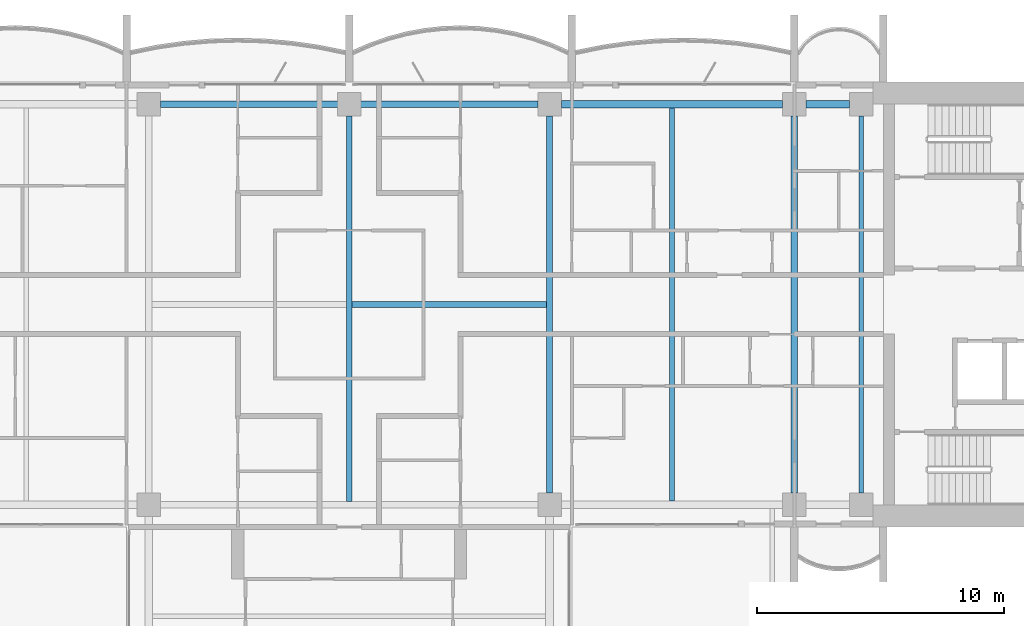
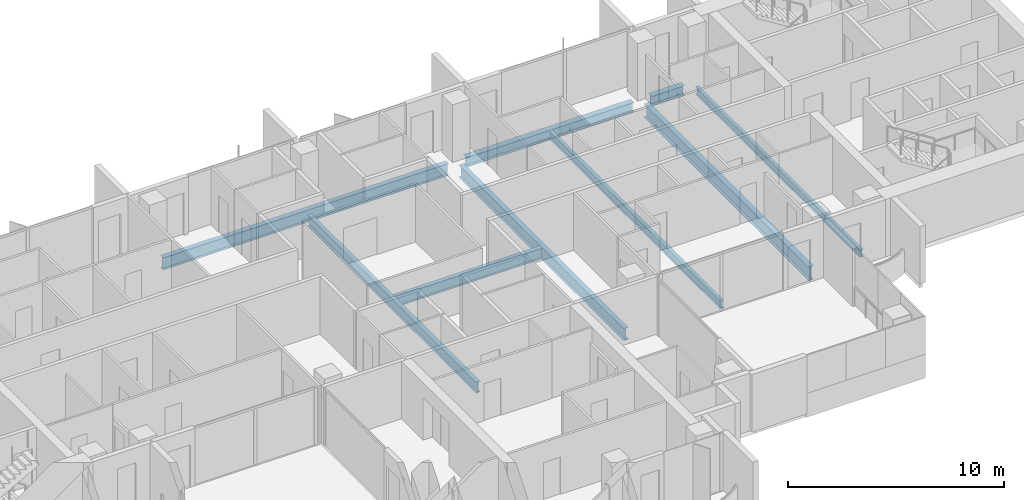
# One storey, part 4 of 18: 9 beams.
"""IFC4 building model written with IfcOpenShell, lengths in metres."""

from ifc_helpers import new_model, si_unit, direction, frame, origin, origin_2d, place, context, subcontext, project, spatial, i_section, extrude, material, material_profile, profile_set, type_object, element, save


model = new_model("IFC4")

# Units and contexts
model_context = context("Model", 3, precision=1e-05, world=origin(), true_north=direction((0.0, 1.0)))
body_context = subcontext(model_context, "Body", "Model", "MODEL_VIEW")
ifc_project = project(units=[si_unit("LENGTHUNIT", "METRE"), si_unit("AREAUNIT", "SQUARE_METRE"), si_unit("VOLUMEUNIT", "CUBIC_METRE"), si_unit("PLANEANGLEUNIT", "RADIAN"), si_unit("MASSUNIT", "GRAM", prefix="KILO")], contexts=[model_context])

# Site, building, storey
site_placement = place(None, origin())
site = spatial("IfcSite", under=ifc_project, at=site_placement, CompositionType="ELEMENT")
building_placement = place(site_placement, origin())
building = spatial("IfcBuilding", under=site, at=building_placement, Name="Perihelion Cross Residences", CompositionType="ELEMENT")
storey_placement = place(building_placement, frame((0.0, 0.0, 173.60009765625)))
storey = spatial("IfcBuildingStorey", under=building, at=storey_placement, Name="L42", CompositionType="ELEMENT", Elevation=173.60009765625)

# Beams
ifc_material_1 = material(Name="Steel S355", Category="steel")
ifc_material_profile_1 = material_profile(ifc_material_1, i_section(OverallWidth=0.180908203125, OverallDepth=0.4169921875, WebThickness=0.010986328125, FlangeThickness=0.018310546875, at=origin_2d()), Name="W410x85")
ifc_profile_set_1 = profile_set([ifc_material_profile_1], Name="Steel S355")
beam_type_1 = type_object("IfcBeamType", Name="Core edge beam W410x85", PredefinedType="BEAM", material=ifc_profile_set_1)
beam_1_placement = place(storey_placement, frame((20.699951171875, -7.625, -0.45849609375), z_axis=(0.0, 1.0, 0.0), x_axis=(-1.0, 0.0, 0.0)))
element("IfcBeam", 1, at=beam_1_placement, inside=storey, type_object=beam_type_1, Name="Core edge beam TB6 L42 no. 2", PredefinedType="BEAM", context=body_context, shape_type="SweptSolid", body=[
    extrude(i_section(OverallWidth=0.180908203125, OverallDepth=0.4169921875, WebThickness=0.010986328125, FlangeThickness=0.018310546875, at=origin_2d()), origin(), (0.0, 0.0, 1.0), 15.25),
])
ifc_material_2 = material(Name="Steel S355", Category="steel")
ifc_material_profile_2 = material_profile(ifc_material_2, i_section(OverallWidth=0.31201171875, OverallDepth=0.5439453125, WebThickness=0.0126953125, FlangeThickness=0.020263671875, at=origin_2d()), Name="W530x150")
ifc_profile_set_2 = profile_set([ifc_material_profile_2], Name="Steel S355")
beam_type_2 = type_object("IfcBeamType", Name="Edge beam W530x150", PredefinedType="SPANDREL", material=ifc_profile_set_2)
beam_2_placement = place(storey_placement, frame((20.22509765625, 8.10009765625, -0.522216796875), z_axis=(-1.0, 0.0, 0.0), x_axis=(0.0, -1.0, 0.0)))
element("IfcBeam", 2, at=beam_2_placement, inside=storey, type_object=beam_type_2, Name="Edge beam SB4 L42 no. 10", PredefinedType="SPANDREL", context=body_context, shape_type="SweptSolid", body=[
    extrude(i_section(OverallWidth=0.31201171875, OverallDepth=0.5439453125, WebThickness=0.0126953125, FlangeThickness=0.020263671875, at=origin_2d()), origin(), (0.0, 0.0, 1.0), 1.75),
])
beam_3_placement = place(storey_placement, frame((17.52490234375, 8.10009765625, -0.522216796875), z_axis=(-1.0, 0.0, 0.0), x_axis=(0.0, -1.0, 0.0)))
element("IfcBeam", 3, at=beam_3_placement, inside=storey, type_object=beam_type_2, Name="Edge beam SB4 L42 no. 9", PredefinedType="SPANDREL", context=body_context, shape_type="SweptSolid", body=[
    extrude(i_section(OverallWidth=0.31201171875, OverallDepth=0.5439453125, WebThickness=0.0126953125, FlangeThickness=0.020263671875, at=origin_2d()), origin(), (0.0, 0.0, 1.0), 8.949951171875),
])
ifc_material_3 = material(Name="Steel S355", Category="steel")
ifc_material_profile_3 = material_profile(ifc_material_3, i_section(OverallWidth=0.26708984375, OverallDepth=0.77001953125, WebThickness=0.015625, FlangeThickness=0.025390625, at=origin_2d()), Name="W760x196")
ifc_profile_set_3 = profile_set([ifc_material_profile_3], Name="Steel S355")
beam_type_3 = type_object("IfcBeamType", Name="Floor girder W760x196", PredefinedType="BEAM", material=ifc_profile_set_3)
beam_4_placement = place(storey_placement, frame((18.0, -7.625, -0.635009765625), z_axis=(0.0, 1.0, 0.0), x_axis=(-1.0, 0.0, 0.0)))
element("IfcBeam", 4, at=beam_4_placement, inside=storey, type_object=beam_type_3, Name="Girder G4 L42 no. 2", PredefinedType="BEAM", context=body_context, shape_type="SweptSolid", body=[
    extrude(i_section(OverallWidth=0.26708984375, OverallDepth=0.77001953125, WebThickness=0.015625, FlangeThickness=0.025390625, at=origin_2d()), origin(), (0.0, 0.0, 1.0), 15.25),
])
ifc_material_4 = material(Name="Steel S355", Category="steel")
ifc_material_profile_4 = material_profile(ifc_material_4, i_section(OverallWidth=0.19091796875, OverallDepth=0.45703125, WebThickness=0.009033203125, FlangeThickness=0.014404296875, at=origin_2d()), Name="W460x74")
ifc_profile_set_4 = profile_set([ifc_material_profile_4], Name="Steel S355")
beam_type_4 = type_object("IfcBeamType", Name="Floor joist W460x74", PredefinedType="JOIST", material=ifc_profile_set_4)
beam_5_placement = place(storey_placement, frame((13.050048828125, -7.944091796875, -0.478515625), z_axis=(0.0, 1.0, 0.0), x_axis=(-1.0, 0.0, 0.0)))
element("IfcBeam", 5, at=beam_5_placement, inside=storey, type_object=beam_type_4, Name="Joist J5 L42 no. 2", PredefinedType="JOIST", context=body_context, shape_type="SweptSolid", body=[
    extrude(i_section(OverallWidth=0.19091796875, OverallDepth=0.45703125, WebThickness=0.009033203125, FlangeThickness=0.014404296875, at=origin_2d()), origin(), (0.0, 0.0, 1.0), 15.88818359375),
])
ifc_material_5 = material(Name="Steel S355", Category="steel")
ifc_material_profile_5 = material_profile(ifc_material_5, i_section(OverallWidth=0.22900390625, OverallDepth=0.612060546875, WebThickness=0.011962890625, FlangeThickness=0.01953125, at=origin_2d()), Name="W610x125")
ifc_profile_set_5 = profile_set([ifc_material_profile_5], Name="Steel S355")
beam_type_5 = type_object("IfcBeamType", Name="Hub cross beam W610x125", PredefinedType="BEAM", material=ifc_profile_set_5)
beam_6_placement = place(storey_placement, frame((0.0, -7.971435546875, -0.55615234375), z_axis=(0.0, 1.0, 0.0), x_axis=(-1.0, 0.0, 0.0)))
element("IfcBeam", 6, at=beam_6_placement, inside=storey, type_object=beam_type_5, Name="Hub cross beam XB4 L42 no. 1", PredefinedType="BEAM", context=body_context, shape_type="SweptSolid", body=[
    extrude(i_section(OverallWidth=0.22900390625, OverallDepth=0.612060546875, WebThickness=0.011962890625, FlangeThickness=0.01953125, at=origin_2d()), origin(), (0.0, 0.0, 1.0), 15.596435546875),
])
beam_7_placement = place(storey_placement, frame((0.114501953125, 0.0, -0.55615234375), z_axis=(1.0, 0.0, 0.0), x_axis=(0.0, 1.0, 0.0)))
element("IfcBeam", 7, at=beam_7_placement, inside=storey, type_object=beam_type_5, Name="Hub cross beam XB4 L42 2 no. 1", PredefinedType="BEAM", context=body_context, shape_type="SweptSolid", body=[
    extrude(i_section(OverallWidth=0.22900390625, OverallDepth=0.612060546875, WebThickness=0.011962890625, FlangeThickness=0.01953125, at=origin_2d()), origin(), (0.0, 0.0, 1.0), 7.85693359375),
])
ifc_material_6 = material(Name="Steel S355", Category="steel")
ifc_material_profile_6 = material_profile(ifc_material_6, i_section(OverallWidth=0.257080078125, OverallDepth=0.693115234375, WebThickness=0.014404296875, FlangeThickness=0.023681640625, at=origin_2d()), Name="W690x170")
ifc_profile_set_6 = profile_set([ifc_material_profile_6], Name="Steel S355")
beam_type_6 = type_object("IfcBeamType", Name="Hub ring girder W690x170", PredefinedType="BEAM", material=ifc_profile_set_6)
for number, where, z_axis, x_axis, name in (
    (8, (8.10009765625, -7.625, -0.5966796875), (0.0, 1.0, 0.0), (-1.0, 0.0, 0.0), "Hub ring girder RG4 L42 no. 3"),
    (9, (7.625, 8.10009765625, -0.5966796875), (-1.0, 0.0, 0.0), (0.0, -1.0, 0.0), "Hub ring girder RG4 L42 no. 4"),
):
    element("IfcBeam", number, at=place(storey_placement, frame(where, z_axis=z_axis, x_axis=x_axis)), inside=storey, type_object=beam_type_6, Name=name, PredefinedType="BEAM", context=body_context, shape_type="SweptSolid", body=[
        extrude(i_section(OverallWidth=0.257080078125, OverallDepth=0.693115234375, WebThickness=0.014404296875, FlangeThickness=0.023681640625, at=origin_2d()), origin(), (0.0, 0.0, 1.0), 15.25),
    ])

save(model, "model.ifc")
